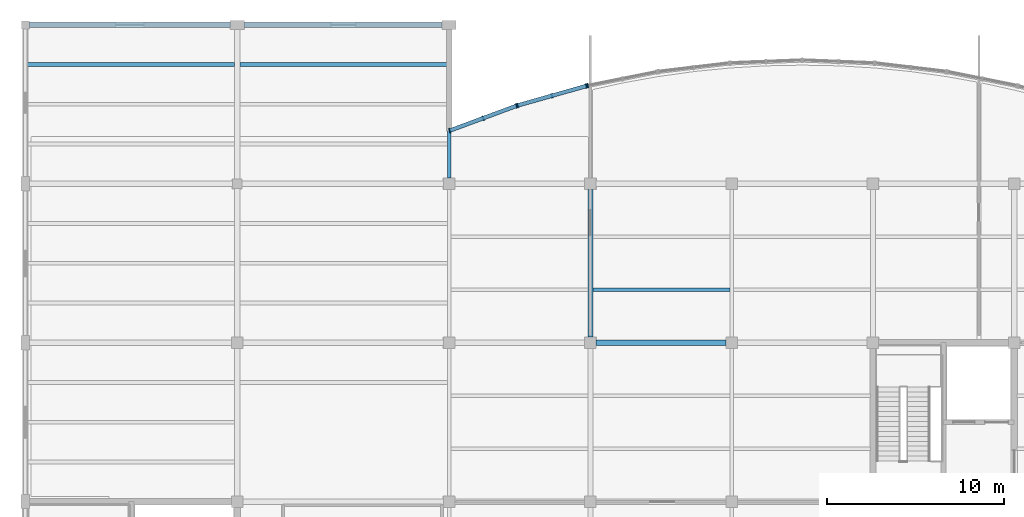
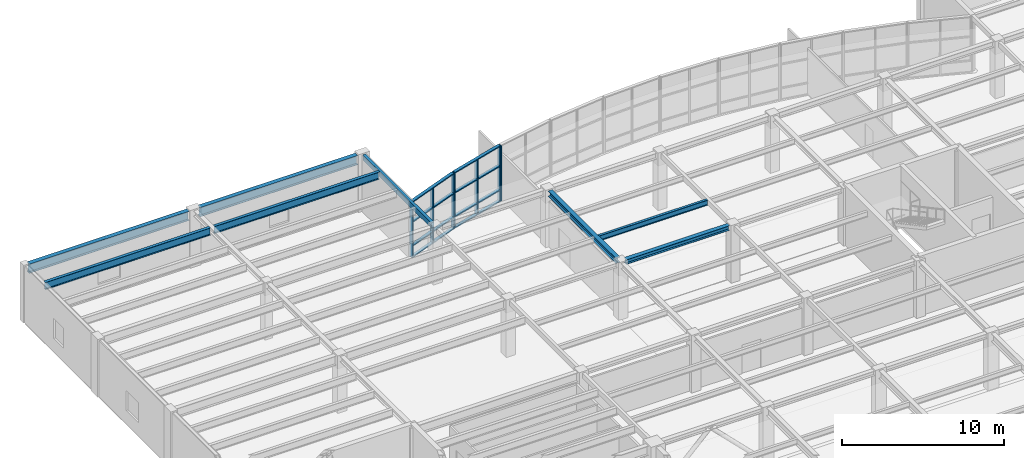
# One storey, part 3 of 16: 15 members, 8 beams, 3 elements without a shape of their own.
"""IFC4 building model written with IfcOpenShell, lengths in metres."""

from ifc_helpers import new_model, si_unit, direction, frame, origin, origin_2d, place, context, subcontext, project, spatial, rectangle, hollow_rectangle, i_section, extrude, material, layer, layer_set, material_profile, profile_set, type_object, element, aggregate, save


model = new_model("IFC4")

# Units and contexts
model_context = context("Model", 3, precision=1e-05, world=origin(), true_north=direction((0.0, 1.0)))
body_context = subcontext(model_context, "Body", "Model", "MODEL_VIEW")
ifc_project = project(units=[si_unit("LENGTHUNIT", "METRE"), si_unit("AREAUNIT", "SQUARE_METRE"), si_unit("VOLUMEUNIT", "CUBIC_METRE"), si_unit("PLANEANGLEUNIT", "RADIAN"), si_unit("MASSUNIT", "GRAM", prefix="KILO")], contexts=[model_context])

# Site, building, storey
site_placement = place(None, origin())
site = spatial("IfcSite", under=ifc_project, at=site_placement, CompositionType="ELEMENT")
building_placement = place(site_placement, origin())
building = spatial("IfcBuilding", under=site, at=building_placement, Name="Keelwater Ferry Terminal", CompositionType="ELEMENT")
storey_placement = place(building_placement, frame((0.0, 0.0, 15.0)))
storey = spatial("IfcBuildingStorey", under=building, at=storey_placement, Name="L03", CompositionType="ELEMENT", Elevation=15.0)

# Curtain wall, member
ifc_material_1 = material(Name="Thermally broken unitised aluminium and triple glass", Category="aluminium")
ifc_layer = layer(ifc_material_1, 0.179931640625)
ifc_layer_set = layer_set([ifc_layer], Name="Thermally broken unitised aluminium and triple glass")
curtain_wall_type = type_object("IfcCurtainWallType", Name="CW-22 Unitised Curtain Wall 4015x4150", PredefinedType="USERDEFINED", material=ifc_layer_set)
curtain_wall_1_placement = place(storey_placement, origin())
curtain_wall_1 = element("IfcCurtainWall", 1, at=curtain_wall_1_placement, inside=storey, type_object=curtain_wall_type, Name="Unitised Curtain Wall CW-L03-210", ObjectType="UNITISED CURTAIN WALL", PredefinedType="USERDEFINED")
ifc_material_2 = material(Name="Aluminium mullion", Category="aluminium")
ifc_material_profile_1 = material_profile(ifc_material_2, rectangle(XDim=0.080078125, YDim=0.25, at=origin_2d()), Name="CWM-04")
ifc_profile_set_1 = profile_set([ifc_material_profile_1], Name="Aluminium mullion")
member_type_1 = type_object("IfcMemberType", Name="CWM-04 Curtain Mullion 80x250", PredefinedType="MULLION", material=ifc_profile_set_1)
member_1_placement = place(storey_placement, frame((139.841064453125, 122.556884765625, 0.0), z_axis=(0.0, 0.0, 1.0), x_axis=(-0.98059983046, -0.196020336958, 0.0)))
member_1 = element("IfcMember", 2, at=member_1_placement, type_object=member_type_1, Name="CW-L03-210 Mullion 3", PredefinedType="MULLION", context=body_context, shape_type="SweptSolid", body=[
    extrude(rectangle(XDim=0.080078125, YDim=0.25, at=origin_2d()), origin(), (0.0, 0.0, 1.0), 4.14990234375),
])
aggregate(curtain_wall_1, [member_1])

# Curtain wall, members
curtain_wall_2_placement = place(storey_placement, origin())
curtain_wall_2 = element("IfcCurtainWall", 3, at=curtain_wall_2_placement, inside=storey, type_object=curtain_wall_type, Name="Unitised Curtain Wall CW-L03-211", ObjectType="UNITISED CURTAIN WALL", PredefinedType="USERDEFINED")
member_2_placement = place(storey_placement, frame((139.75390625, 122.535888671875, 0.0), z_axis=(0.0, 0.0, 1.0), x_axis=(-0.962029778706, -0.272944508797, 0.0)))
member_2 = element("IfcMember", 4, at=member_2_placement, type_object=member_type_1, Name="CW-L03-211 Mullion 1", PredefinedType="MULLION", context=body_context, shape_type="SweptSolid", body=[
    extrude(rectangle(XDim=0.080078125, YDim=0.25, at=origin_2d()), origin(), (0.0, 0.0, 1.0), 4.14990234375),
])
member_3_placement = place(storey_placement, frame((137.822509765625, 121.988037109375, 0.0), z_axis=(0.0, 0.0, 1.0), x_axis=(-0.962029778706, -0.272944508797, 0.0)))
member_3 = element("IfcMember", 5, at=member_3_placement, type_object=member_type_1, Name="CW-L03-211 Mullion 2", PredefinedType="MULLION", context=body_context, shape_type="SweptSolid", body=[
    extrude(rectangle(XDim=0.080078125, YDim=0.25, at=origin_2d()), origin(), (0.0, 0.0, 1.0), 4.14990234375),
])
member_4_placement = place(storey_placement, frame((135.89111328125, 121.43994140625, 0.0), z_axis=(0.0, 0.0, 1.0), x_axis=(-0.962029778706, -0.272944508797, 0.0)))
member_4 = element("IfcMember", 6, at=member_4_placement, type_object=member_type_1, Name="CW-L03-211 Mullion 3", PredefinedType="MULLION", context=body_context, shape_type="SweptSolid", body=[
    extrude(rectangle(XDim=0.080078125, YDim=0.25, at=origin_2d()), origin(), (0.0, 0.0, 1.0), 4.14990234375),
])

curtain_wall_3_placement = place(storey_placement, origin())
curtain_wall_3 = element("IfcCurtainWall", 7, at=curtain_wall_3_placement, inside=storey, type_object=curtain_wall_type, Name="Unitised Curtain Wall CW-L03-212", ObjectType="UNITISED CURTAIN WALL", PredefinedType="USERDEFINED")
member_5_placement = place(storey_placement, frame((135.805908203125, 121.412109375, 0.0), z_axis=(0.0, 0.0, 1.0), x_axis=(-0.937592418253, -0.347736189136, 0.0)))
member_5 = element("IfcMember", 8, at=member_5_placement, type_object=member_type_1, Name="CW-L03-212 Mullion 1", PredefinedType="MULLION", context=body_context, shape_type="SweptSolid", body=[
    extrude(rectangle(XDim=0.080078125, YDim=0.25, at=origin_2d()), origin(), (0.0, 0.0, 1.0), 4.14990234375),
])
member_6_placement = place(storey_placement, frame((133.924072265625, 120.714111328125, 0.0), z_axis=(0.0, 0.0, 1.0), x_axis=(-0.937592418253, -0.347736189136, 0.0)))
member_6 = element("IfcMember", 9, at=member_6_placement, type_object=member_type_1, Name="CW-L03-212 Mullion 2", PredefinedType="MULLION", context=body_context, shape_type="SweptSolid", body=[
    extrude(rectangle(XDim=0.080078125, YDim=0.25, at=origin_2d()), origin(), (0.0, 0.0, 1.0), 4.14990234375),
])
member_7_placement = place(storey_placement, frame((132.0419921875, 120.01611328125, 0.0), z_axis=(0.0, 0.0, 1.0), x_axis=(-0.937592418253, -0.347736189136, 0.0)))
member_7 = element("IfcMember", 10, at=member_7_placement, type_object=member_type_1, Name="CW-L03-212 Mullion 3", PredefinedType="MULLION", context=body_context, shape_type="SweptSolid", body=[
    extrude(rectangle(XDim=0.080078125, YDim=0.25, at=origin_2d()), origin(), (0.0, 0.0, 1.0), 4.14990234375),
])

# Member
ifc_material_3 = material(Name="Aluminium mullion", Category="aluminium")
ifc_material_profile_2 = material_profile(ifc_material_3, rectangle(XDim=0.219970703125, YDim=0.080078125, at=origin_2d()), Name="CWT-04")
ifc_profile_set_2 = profile_set([ifc_material_profile_2], Name="Aluminium mullion")
member_type_2 = type_object("IfcMemberType", Name="CWT-04 Curtain Transom 80x220", PredefinedType="USERDEFINED", material=ifc_profile_set_2)
member_8_placement = place(storey_placement, frame((139.75390625, 122.535888671875, 0.0), z_axis=(-0.962029386072, -0.272945892686, 0.0), x_axis=(0.272945892686, -0.962029386072, 0.0)))
member_8 = element("IfcMember", 11, at=member_8_placement, type_object=member_type_2, Name="CW-L03-211 Transom 1", ObjectType="TRANSOM", PredefinedType="USERDEFINED", context=body_context, shape_type="SweptSolid", body=[
    extrude(rectangle(XDim=0.219970703125, YDim=0.080078125, at=origin_2d()), origin(), (0.0, 0.0, 1.0), 4.01513671875),
])

member_9_placement = place(storey_placement, frame((139.75390625, 122.535888671875, 0.85009765625), z_axis=(-0.962029386072, -0.272945892686, 0.0), x_axis=(0.272945892686, -0.962029386072, 0.0)))
member_9 = element("IfcMember", 12, at=member_9_placement, type_object=member_type_2, Name="CW-L03-211 Transom 2", ObjectType="TRANSOM", PredefinedType="USERDEFINED", context=body_context, shape_type="SweptSolid", body=[
    extrude(rectangle(XDim=0.219970703125, YDim=0.080078125, at=origin_2d()), origin(), (0.0, 0.0, 1.0), 4.01513671875),
])

member_10_placement = place(storey_placement, frame((139.75390625, 122.535888671875, 2.64990234375), z_axis=(-0.962029386072, -0.272945892686, 0.0), x_axis=(0.272945892686, -0.962029386072, 0.0)))
member_10 = element("IfcMember", 13, at=member_10_placement, type_object=member_type_2, Name="CW-L03-211 Transom 3", ObjectType="TRANSOM", PredefinedType="USERDEFINED", context=body_context, shape_type="SweptSolid", body=[
    extrude(rectangle(XDim=0.219970703125, YDim=0.080078125, at=origin_2d()), origin(), (0.0, 0.0, 1.0), 4.01513671875),
])

member_11_placement = place(storey_placement, frame((139.75390625, 122.535888671875, 4.14990234375), z_axis=(-0.962029386072, -0.272945892686, 0.0), x_axis=(0.272945892686, -0.962029386072, 0.0)))
member_11 = element("IfcMember", 14, at=member_11_placement, type_object=member_type_2, Name="CW-L03-211 Transom 4", ObjectType="TRANSOM", PredefinedType="USERDEFINED", context=body_context, shape_type="SweptSolid", body=[
    extrude(rectangle(XDim=0.219970703125, YDim=0.080078125, at=origin_2d()), origin(), (0.0, 0.0, 1.0), 4.01513671875),
])

aggregate(curtain_wall_2, [member_2, member_3, member_4, member_8, member_9, member_10, member_11])

member_12_placement = place(storey_placement, frame((135.805908203125, 121.412109375, 0.0), z_axis=(-0.937590205769, -0.347742154543, 0.0), x_axis=(0.347742154543, -0.937590205769, 0.0)))
member_12 = element("IfcMember", 15, at=member_12_placement, type_object=member_type_2, Name="CW-L03-212 Transom 1", ObjectType="TRANSOM", PredefinedType="USERDEFINED", context=body_context, shape_type="SweptSolid", body=[
    extrude(rectangle(XDim=0.219970703125, YDim=0.080078125, at=origin_2d()), origin(), (0.0, 0.0, 1.0), 4.014404296875),
])

member_13_placement = place(storey_placement, frame((135.805908203125, 121.412109375, 0.85009765625), z_axis=(-0.937590205769, -0.347742154543, 0.0), x_axis=(0.347742154543, -0.937590205769, 0.0)))
member_13 = element("IfcMember", 16, at=member_13_placement, type_object=member_type_2, Name="CW-L03-212 Transom 2", ObjectType="TRANSOM", PredefinedType="USERDEFINED", context=body_context, shape_type="SweptSolid", body=[
    extrude(rectangle(XDim=0.219970703125, YDim=0.080078125, at=origin_2d()), origin(), (0.0, 0.0, 1.0), 4.014404296875),
])

member_14_placement = place(storey_placement, frame((135.805908203125, 121.412109375, 2.64990234375), z_axis=(-0.937590205769, -0.347742154543, 0.0), x_axis=(0.347742154543, -0.937590205769, 0.0)))
member_14 = element("IfcMember", 17, at=member_14_placement, type_object=member_type_2, Name="CW-L03-212 Transom 3", ObjectType="TRANSOM", PredefinedType="USERDEFINED", context=body_context, shape_type="SweptSolid", body=[
    extrude(rectangle(XDim=0.219970703125, YDim=0.080078125, at=origin_2d()), origin(), (0.0, 0.0, 1.0), 4.014404296875),
])

member_15_placement = place(storey_placement, frame((135.805908203125, 121.412109375, 4.14990234375), z_axis=(-0.937590205769, -0.347742154543, 0.0), x_axis=(0.347742154543, -0.937590205769, 0.0)))
member_15 = element("IfcMember", 18, at=member_15_placement, type_object=member_type_2, Name="CW-L03-212 Transom 4", ObjectType="TRANSOM", PredefinedType="USERDEFINED", context=body_context, shape_type="SweptSolid", body=[
    extrude(rectangle(XDim=0.219970703125, YDim=0.080078125, at=origin_2d()), origin(), (0.0, 0.0, 1.0), 4.014404296875),
])

aggregate(curtain_wall_3, [member_5, member_6, member_7, member_12, member_13, member_14, member_15])

# Beams
ifc_material_4 = material(Name="Steel S355", Category="steel")
ifc_material_profile_3 = material_profile(ifc_material_4, i_section(OverallWidth=0.300048828125, OverallDepth=0.699951171875, WebThickness=0.01708984375, FlangeThickness=0.031982421875, at=origin_2d()), Name="HEB 700")
ifc_profile_set_3 = profile_set([ifc_material_profile_3], Name="Steel S355")
beam_type_1 = type_object("IfcBeamType", Name="G2E HEB 700", PredefinedType="BEAM", material=ifc_profile_set_3)
beam_1_placement = place(storey_placement, frame((108.219970703125, 126.0, 3.889892578125), z_axis=(1.0, 0.0, 0.0), x_axis=(0.0, 1.0, 0.0)))
element("IfcBeam", 19, at=beam_1_placement, inside=storey, type_object=beam_type_1, Name="Beam BM-L03-1329", PredefinedType="BEAM", context=body_context, shape_type="SweptSolid", body=[
    extrude(i_section(OverallWidth=0.300048828125, OverallDepth=0.699951171875, WebThickness=0.01708984375, FlangeThickness=0.031982421875, at=origin_2d()), origin(), (0.0, 0.0, 1.0), 11.387939453125),
])
beam_2_placement = place(storey_placement, frame((120.39208984375, 126.0, 3.889892578125), z_axis=(1.0, 0.0, 0.0), x_axis=(0.0, 1.0, 0.0)))
element("IfcBeam", 20, at=beam_2_placement, inside=storey, type_object=beam_type_1, Name="Beam BM-L03-1330", PredefinedType="BEAM", context=body_context, shape_type="SweptSolid", body=[
    extrude(i_section(OverallWidth=0.300048828125, OverallDepth=0.699951171875, WebThickness=0.01708984375, FlangeThickness=0.031982421875, at=origin_2d()), origin(), (0.0, 0.0, 1.0), 11.2158203125),
])
ifc_material_5 = material(Name="Steel S355", Category="steel")
ifc_material_profile_4 = material_profile(ifc_material_5, i_section(OverallWidth=0.300048828125, OverallDepth=0.39990234375, WebThickness=0.013427734375, FlangeThickness=0.02392578125, at=origin_2d()), Name="HEB 400")
ifc_profile_set_4 = profile_set([ifc_material_profile_4], Name="Steel S355")
beam_type_2 = type_object("IfcBeamType", Name="G7 HEB 400", PredefinedType="BEAM", material=ifc_profile_set_4)
beam_3_placement = place(storey_placement, frame((140.0, 108.318115234375, 4.0400390625), z_axis=(0.0, 1.0, 0.0), x_axis=(-1.0, 0.0, 0.0)))
element("IfcBeam", 21, at=beam_3_placement, inside=storey, type_object=beam_type_2, Name="Beam BM-L03-1352", PredefinedType="BEAM", context=body_context, shape_type="SweptSolid", body=[
    extrude(i_section(OverallWidth=0.300048828125, OverallDepth=0.39990234375, WebThickness=0.013427734375, FlangeThickness=0.02392578125, at=origin_2d()), origin(), (0.0, 0.0, 1.0), 8.36376953125),
])
ifc_material_6 = material(Name="Steel S355", Category="steel")
ifc_material_profile_5 = material_profile(ifc_material_6, i_section(OverallWidth=0.2099609375, OverallDepth=0.550048828125, WebThickness=0.010986328125, FlangeThickness=0.01708984375, at=origin_2d()), Name="IPE 550")
ifc_profile_set_5 = profile_set([ifc_material_profile_5], Name="Steel S355")
beam_type_3 = type_object("IfcBeamType", Name="J2 IPE 550", PredefinedType="JOIST", material=ifc_profile_set_5)
for number, where, z_axis, x_axis, name in (
    (22, (108.10009765625, 123.75, 3.965087890625), (1.0, 0.0, 0.0), (0.0, 1.0, 0.0), "Beam BM-L03-1387"),
    (23, (120.14990234375, 123.75, 3.965087890625), (1.0, 0.0, 0.0), (0.0, 1.0, 0.0), "Beam BM-L03-1397"),
):
    element("IfcBeam", number, at=place(storey_placement, frame(where, z_axis=z_axis, x_axis=x_axis)), inside=storey, type_object=beam_type_3, Name=name, PredefinedType="JOIST", context=body_context, shape_type="SweptSolid", body=[
        extrude(i_section(OverallWidth=0.2099609375, OverallDepth=0.550048828125, WebThickness=0.010986328125, FlangeThickness=0.01708984375, at=origin_2d()), origin(), (0.0, 0.0, 1.0), 11.75),
    ])
ifc_material_7 = material(Name="Steel S355", Category="steel")
ifc_material_profile_6 = material_profile(ifc_material_7, i_section(OverallWidth=0.179931640625, OverallDepth=0.39990234375, WebThickness=0.008544921875, FlangeThickness=0.013427734375, at=origin_2d()), Name="IPE 400")
ifc_profile_set_6 = profile_set([ifc_material_profile_6], Name="Steel S355")
beam_type_4 = type_object("IfcBeamType", Name="J5 IPE 400", PredefinedType="JOIST", material=ifc_profile_set_6)
beam_4_placement = place(storey_placement, frame((140.14990234375, 111.0, 4.0400390625), z_axis=(1.0, 0.0, 0.0), x_axis=(0.0, 1.0, 0.0)))
element("IfcBeam", 24, at=beam_4_placement, inside=storey, type_object=beam_type_4, Name="Beam BM-L03-1420", PredefinedType="JOIST", context=body_context, shape_type="SweptSolid", body=[
    extrude(i_section(OverallWidth=0.179931640625, OverallDepth=0.39990234375, WebThickness=0.008544921875, FlangeThickness=0.013427734375, at=origin_2d()), origin(), (0.0, 0.0, 1.0), 7.75),
])
ifc_material_8 = material(Name="Steel S355", Category="steel")
ifc_material_profile_7 = material_profile(ifc_material_8, i_section(OverallWidth=0.300048828125, OverallDepth=0.35009765625, WebThickness=0.010009765625, FlangeThickness=0.017578125, at=origin_2d()), Name="HEA 360")
ifc_profile_set_7 = profile_set([ifc_material_profile_7], Name="Steel S355")
beam_type_5 = type_object("IfcBeamType", Name="SP1E HEA 360", PredefinedType="SPANDREL", material=ifc_profile_set_7)
beam_5_placement = place(storey_placement, frame((140.318115234375, 108.0, 4.06494140625), z_axis=(1.0, 0.0, 0.0), x_axis=(0.0, 1.0, 0.0)))
element("IfcBeam", 25, at=beam_5_placement, inside=storey, type_object=beam_type_5, Name="Beam BM-L03-1316", PredefinedType="SPANDREL", context=body_context, shape_type="SweptSolid", body=[
    extrude(i_section(OverallWidth=0.300048828125, OverallDepth=0.35009765625, WebThickness=0.010009765625, FlangeThickness=0.017578125, at=origin_2d()), origin(), (0.0, 0.0, 1.0), 7.36376953125),
])
ifc_material_9 = material(Name="Steel S355", Category="steel")
ifc_material_profile_8 = material_profile(ifc_material_9, hollow_rectangle(XDim=0.199951171875, YDim=0.39990234375, WallThickness=0.01611328125, at=origin_2d()), Name="RHS 400x200x16")
ifc_profile_set_8 = profile_set([ifc_material_profile_8], Name="Steel S355")
beam_type_6 = type_object("IfcBeamType", Name="SP3E RHS 400x200x16", PredefinedType="SPANDREL", material=ifc_profile_set_8)
beam_6_placement = place(storey_placement, frame((132.0, 117.318115234375, 4.0400390625), z_axis=(0.0, 1.0, 0.0), x_axis=(-1.0, 0.0, 0.0)))
element("IfcBeam", 26, at=beam_6_placement, inside=storey, type_object=beam_type_6, Name="Beam BM-L03-1346", PredefinedType="SPANDREL", context=body_context, shape_type="SweptSolid", body=[
    extrude(hollow_rectangle(XDim=0.199951171875, YDim=0.39990234375, WallThickness=0.01611328125, at=origin_2d()), origin(), (0.0, 0.0, 1.0), 8.436767578125),
])

save(model, "model.ifc")
